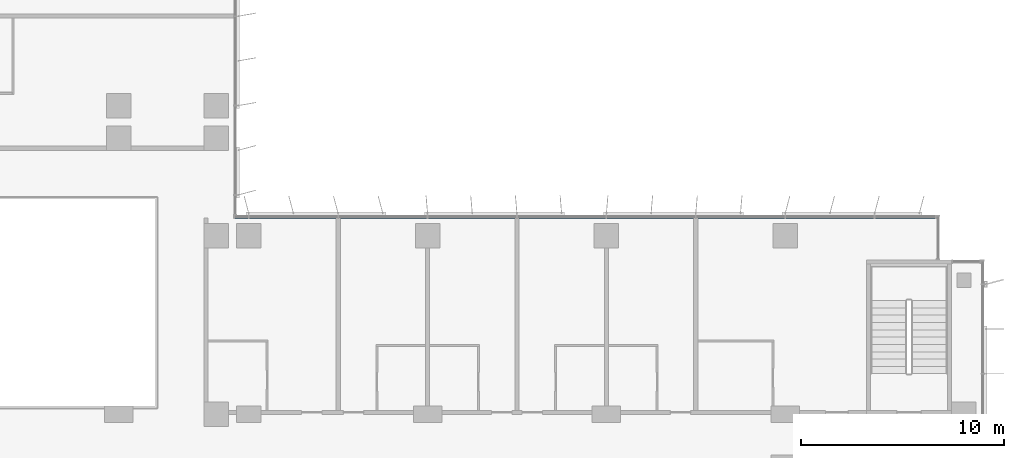
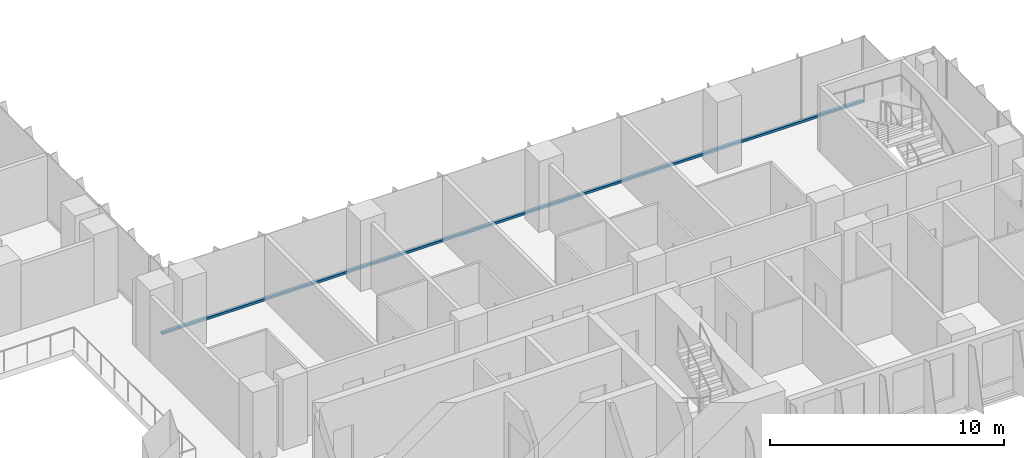
# One storey, part 3 of 23: 1 member, 1 element without a shape of its own.
"""IFC4 building model written with IfcOpenShell, lengths in metres."""

import ifcopenshell
import ifcopenshell.guid

model = None  # the IFC model being written
_history = None  # IfcOwnerHistory: only IFC2X3 demands one
_inside = {}  # id of a spatial element -> (the spatial element, [elements in it])
_under = {}  # id of a project, library or spatial element -> (it, [spatial elements below it])
_declared = {}  # id of a project -> (the project, [libraries it declares])
_typed = {}  # id of a type object -> (the type object, [elements of that type])
_made_of = {}  # id of a material, layer set ... -> (it, [elements and type objects made of it])


def new_model(schema):
    """Start an empty IFC model of exactly this schema.

    Asked for "IFC4X3", IfcOpenShell would pick the latest addendum, in which some entities
    have other attributes; the version numbers below select the first issue.
    IFC2X3 requires an IfcOwnerHistory on every rooted entity: one is made here for all.
    """
    global model, _history
    if schema == "IFC4X3":
        model = ifcopenshell.file(schema_version=(4, 3, 0, 0))
    else:
        model = ifcopenshell.file(schema=schema)
    _inside.clear()
    _under.clear()
    _declared.clear()
    _typed.clear()
    _made_of.clear()
    _history = None
    if model.schema == "IFC2X3":
        org = make("IfcOrganization", Name="unknown")
        user = make(
            "IfcPersonAndOrganization",
            ThePerson=make("IfcPerson", FamilyName="unknown"),
            TheOrganization=org,
        )
        app = make(
            "IfcApplication",
            ApplicationDeveloper=org,
            Version="unknown",
            ApplicationFullName="unknown",
            ApplicationIdentifier="unknown",
        )
        _history = make(
            "IfcOwnerHistory",
            OwningUser=user,
            OwningApplication=app,
            ChangeAction="ADDED",
            CreationDate=0,
        )
    return model


def make(cls, **values):
    """One entity of the class cls with the attributes given. An attribute that is None is left unset."""
    return model.create_entity(
        cls, **{name: value for name, value in values.items() if value is not None}
    )


def rooted(cls, **values):
    """An entity with a GlobalId (a new one), such as an element, a storey or a relation."""
    return make(cls, GlobalId=ifcopenshell.guid.new(), OwnerHistory=_history, **values)


def si_unit(unit_type, name, prefix=None):
    """IfcSIUnit, for example si_unit("LENGTHUNIT", "METRE", prefix="MILLI")."""
    return make("IfcSIUnit", UnitType=unit_type, Prefix=prefix, Name=name)


def assignment(units):
    """IfcUnitAssignment: the units of a project."""
    return None if units is None else make("IfcUnitAssignment", Units=units)


def point(xyz):
    """IfcCartesianPoint."""
    return None if xyz is None else make("IfcCartesianPoint", Coordinates=xyz)


def direction(xyz):
    """IfcDirection."""
    return None if xyz is None else make("IfcDirection", DirectionRatios=xyz)


def frame(location, z_axis=None, x_axis=None):
    """IfcAxis2Placement3D, a coordinate frame: its origin and axes. An axis left out is left unset."""
    return make(
        "IfcAxis2Placement3D",
        Location=point(location),
        Axis=direction(z_axis),
        RefDirection=direction(x_axis),
    )


def frame_2d(location, x_axis=None):
    """IfcAxis2Placement2D, a coordinate frame in the plane: its origin and x axis."""
    return make(
        "IfcAxis2Placement2D", Location=point(location), RefDirection=direction(x_axis)
    )


def origin():
    """The frame at (0, 0, 0) with its axes left unset."""
    return frame((0.0, 0.0, 0.0))


def origin_2d():
    """The frame at (0, 0) in the plane with its x axis left unset."""
    return frame_2d((0.0, 0.0))


def place(relative_to, where):
    """IfcLocalPlacement: puts the frame where relative to a parent placement (None: the world)."""
    return make(
        "IfcLocalPlacement", PlacementRelTo=relative_to, RelativePlacement=where
    )


def context(
    kind, dimensions, precision=None, world=None, true_north=None, identifier=None
):
    """IfcGeometricRepresentationContext, for example the 3D "Model" context."""
    return make(
        "IfcGeometricRepresentationContext",
        ContextIdentifier=identifier,
        ContextType=kind,
        CoordinateSpaceDimension=dimensions,
        Precision=precision,
        WorldCoordinateSystem=world,
        TrueNorth=true_north,
    )


def subcontext(parent, identifier, kind, view, scale=None):
    """IfcGeometricRepresentationSubContext, for example "Body" below "Model"."""
    return make(
        "IfcGeometricRepresentationSubContext",
        ContextIdentifier=identifier,
        ContextType=kind,
        ParentContext=parent,
        TargetScale=scale,
        TargetView=view,
    )


def project(units=None, contexts=None):
    """IfcProject with its units and contexts."""
    return rooted(
        "IfcProject",
        Name="project",
        RepresentationContexts=contexts,
        UnitsInContext=assignment(units),
    )


def spatial(cls, under=None, at=None, **own):
    """A site, building, storey or space (cls), placed at a placement, below another one or the project."""
    s = rooted(cls, ObjectPlacement=at, **own)
    if under is not None:
        _under.setdefault(under.id(), (under, []))[1].append(s)
    return s


def profile(cls, at=None, kind="AREA", **sizes):
    """A parametric profile (cls). Its sizes go by their IFC names, for example OverallWidth=200.0."""
    return make(cls, ProfileType=kind, Position=at, **sizes)


def rectangle(**sizes):
    """IfcRectangleProfileDef."""
    return profile("IfcRectangleProfileDef", **sizes)


def extrude(swept, where, along, depth):
    """IfcExtrudedAreaSolid: the profile swept, set in the frame where, extruded along a direction by depth."""
    return make(
        "IfcExtrudedAreaSolid",
        SweptArea=swept,
        Position=where,
        ExtrudedDirection=direction(along),
        Depth=depth,
    )


def shape(context_of_items, identifier, shape_type, items):
    """IfcShapeRepresentation: the items that make up one representation, for example the "Body"."""
    return make(
        "IfcShapeRepresentation",
        ContextOfItems=context_of_items,
        RepresentationIdentifier=identifier,
        RepresentationType=shape_type,
        Items=items,
    )


def material(Name=None, Category=None):
    """IfcMaterial."""
    return make("IfcMaterial", Name=Name, Category=Category)


def material_profile(
    of_material, cross_section, Name=None, Category=None, Priority=None
):
    """IfcMaterialProfile: a cross section and its material."""
    return make(
        "IfcMaterialProfile",
        Name=Name,
        Material=of_material,
        Profile=cross_section,
        Priority=Priority,
        Category=Category,
    )


def profile_set(profiles, Name=None, composite=None):
    """IfcMaterialProfileSet."""
    return make(
        "IfcMaterialProfileSet",
        Name=Name,
        MaterialProfiles=profiles,
        CompositeProfile=composite,
    )


def made_of(thing, what):
    """Note that an element or type object is made of a material, layer set ...; save() writes the relation."""
    if what is not None:
        _made_of.setdefault(what.id(), (what, []))[1].append(thing)
    return thing


def type_object(cls, material=None, **own):
    """A type object (cls), such as IfcWallType, which elements share."""
    return made_of(rooted(cls, **own), material)


def element(
    cls,
    number,
    at=None,
    inside=None,
    cuts=None,
    type_object=None,
    material=None,
    context=None,
    identifier="Body",
    shape_type=None,
    held_by="IfcProductDefinitionShape",
    body=None,
    shapes=None,
    **own,
):
    """One element of the class cls, such as IfcWall. Its Tag is "e" and its number.

    at: its placement. inside: the storey or other place that contains it. cuts: it is an
    opening in that element (IfcRelVoidsElement). A single representation is given by context,
    identifier, shape_type and body (its items); several are given by shapes. held_by: the class
    of the entity that holds the representations. save() writes the other relations.
    """
    e = rooted(cls, Tag="e%d" % number, ObjectPlacement=at, **own)
    if body is not None:
        shapes = [shape(context, identifier, shape_type, body)]
    if shapes is not None:
        e.Representation = make(held_by, Representations=shapes)
    if inside is not None:
        _inside.setdefault(inside.id(), (inside, []))[1].append(e)
    if cuts is not None:
        rooted(
            "IfcRelVoidsElement", RelatingBuildingElement=cuts, RelatedOpeningElement=e
        )
    if type_object is not None:
        _typed.setdefault(type_object.id(), (type_object, []))[1].append(e)
    return made_of(e, material)


def aggregate(whole, parts):
    """IfcRelAggregates: a whole, such as a stair, and the parts it consists of."""
    return rooted("IfcRelAggregates", RelatingObject=whole, RelatedObjects=parts)


def save(model, path):
    """Write the relations noted so far, then the file.

    IfcRelAggregates (storeys below a building ...), IfcRelContainedInSpatialStructure (elements
    in a storey), IfcRelDefinesByType, IfcRelAssociatesMaterial and IfcRelDeclares: one each for
    every whole, place, type object, material and project.
    """
    for whole, parts in _under.values():
        aggregate(whole, parts)
    for where, things in _inside.values():
        rooted(
            "IfcRelContainedInSpatialStructure",
            RelatedElements=things,
            RelatingStructure=where,
        )
    for kind, things in _typed.values():
        rooted("IfcRelDefinesByType", RelatedObjects=things, RelatingType=kind)
    for what, things in _made_of.values():
        rooted("IfcRelAssociatesMaterial", RelatedObjects=things, RelatingMaterial=what)
    for by, libraries in _declared.values():
        rooted("IfcRelDeclares", RelatingContext=by, RelatedDefinitions=libraries)
    model.write(path)


model = new_model("IFC4")

# Units and contexts
model_context = context("Model", 3, precision=1e-05, world=origin(), true_north=direction((0.0, 1.0)))
body_context = subcontext(model_context, "Body", "Model", "MODEL_VIEW")
ifc_project = project(units=[si_unit("LENGTHUNIT", "METRE"), si_unit("AREAUNIT", "SQUARE_METRE"), si_unit("VOLUMEUNIT", "CUBIC_METRE"), si_unit("PLANEANGLEUNIT", "RADIAN"), si_unit("MASSUNIT", "GRAM", prefix="KILO")], contexts=[model_context])

# Site, building, storey
site_placement = place(None, origin())
site = spatial("IfcSite", under=ifc_project, at=site_placement, CompositionType="ELEMENT")
building_placement = place(site_placement, origin())
building = spatial("IfcBuilding", under=site, at=building_placement, Name="Kemantara Hotel Tower", CompositionType="ELEMENT")
storey_placement = place(building_placement, frame((0.0, 0.0, 114.800048828125)))
storey = spatial("IfcBuildingStorey", under=building, at=storey_placement, Name="L27", CompositionType="ELEMENT", Elevation=114.800048828125)

# Curtain wall, member
ifc_material_1 = material(Name="Low-E tinted double insulated glass 36 mm", Category="glass")
curtain_wall_type = type_object("IfcCurtainWallType", Name="TOWER CURTAIN WALL, FRONT FACES", PredefinedType="USERDEFINED", material=ifc_material_1)
curtain_wall_placement = place(storey_placement, origin())
curtain_wall = element("IfcCurtainWall", 1, at=curtain_wall_placement, inside=storey, type_object=curtain_wall_type, Name="CW4 L27 T2-R13-1", ObjectType="TOWER CURTAIN WALL, FRONT FACES", PredefinedType="USERDEFINED")
ifc_material_2 = material(Name="Aluminium 6063-T6 bronze anodised", Category="aluminium")
ifc_material_profile = material_profile(ifc_material_2, rectangle(XDim=0.14990234375, YDim=0.1201171875, at=origin_2d()), Name="TOWER CURTAIN WALL, FRONT FACES TRANSOM")
ifc_profile_set = profile_set([ifc_material_profile], Name="Aluminium 6063-T6 bronze anodised")
member_type = type_object("IfcMemberType", Name="TOWER CURTAIN WALL, FRONT FACES TRANSOM", PredefinedType="USERDEFINED", material=ifc_profile_set)
member_placement = place(storey_placement, frame((61.25, 21.925048828125, 0.06005859375), z_axis=(-1.0, 0.0, 0.0), x_axis=(0.0, -1.0, 0.0)))
member = element("IfcMember", 2, at=member_placement, type_object=member_type, Name="CW4 sill transom T2-R13-1", ObjectType="TRANSOM", PredefinedType="USERDEFINED", context=body_context, shape_type="SweptSolid", body=[
    extrude(rectangle(XDim=0.14990234375, YDim=0.1201171875, at=origin_2d()), origin(), (0.0, 0.0, 1.0), 34.60009765625),
])
aggregate(curtain_wall, [member])

save(model, "model.ifc")
